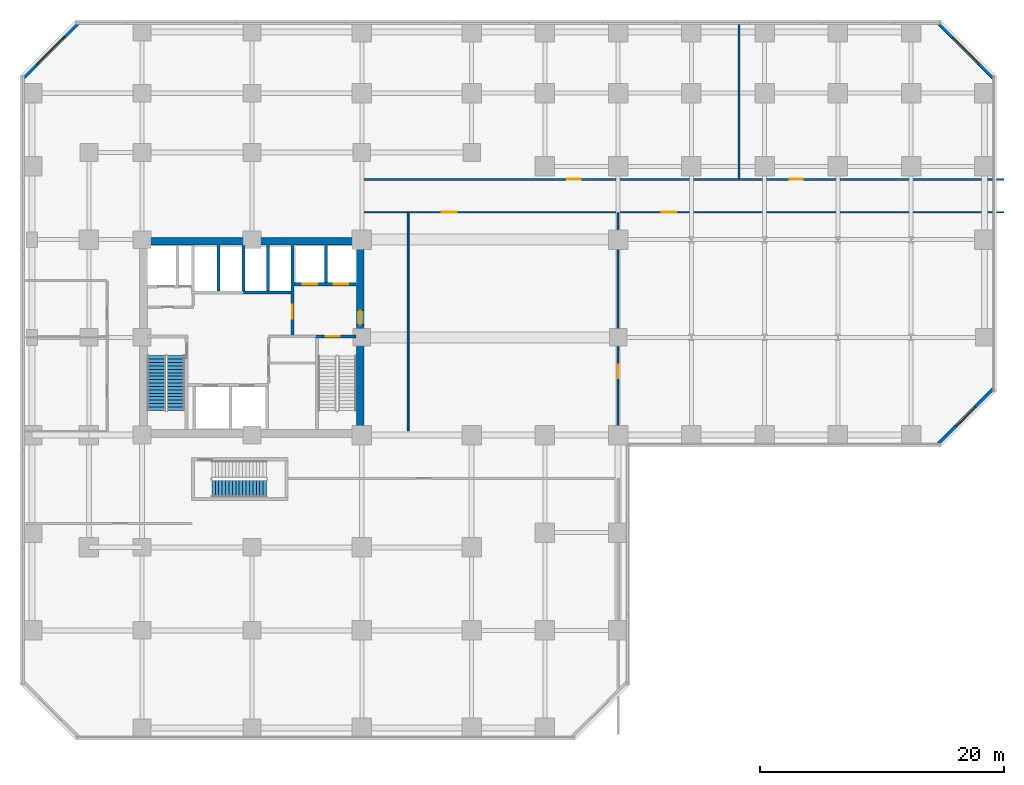
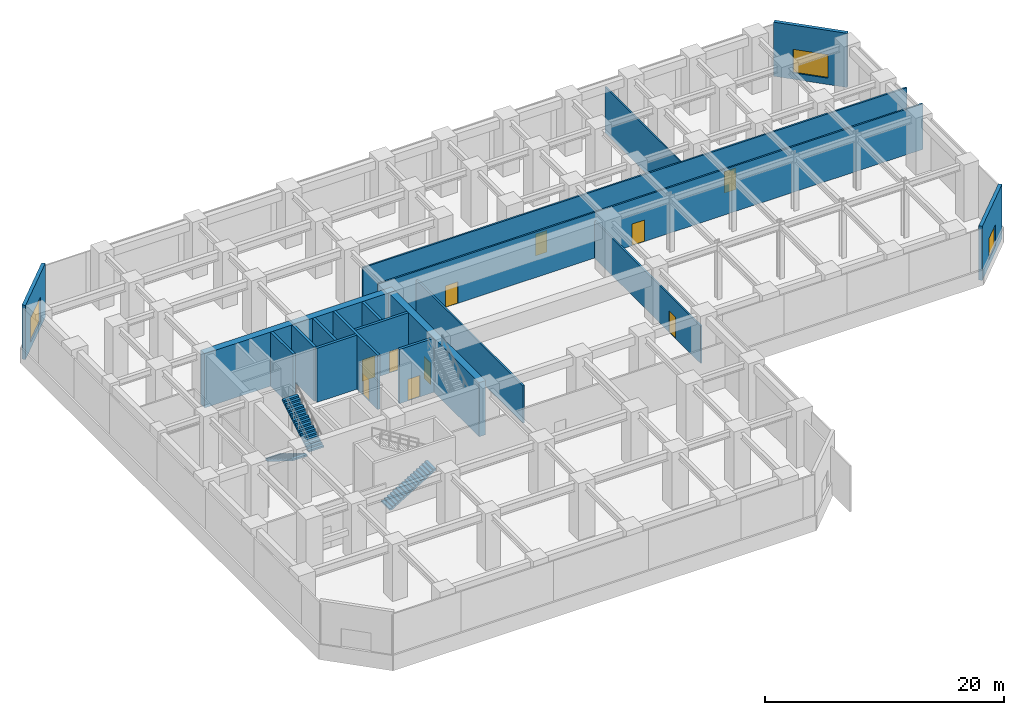
# One storey, part 4 of 12: 18 walls, 10 doors, 3 stair flights, 3 windows, 13 openings, 2 elements without a shape of their own.
"""IFC4 building model written with IfcOpenShell, lengths in metres."""

from ifc_helpers import new_model, si_unit, direction, frame, frame_2d, origin, place, context, subcontext, project, spatial, polyline, rectangle, outline, extrude, source, transform, mapped, material, layer, layer_set, type_object, element, fill, aggregate, save


model = new_model("IFC4")

# Units and contexts
model_context = context("Model", 3, precision=1e-05, world=origin(), true_north=direction((0.0, 1.0)))
body_context = subcontext(model_context, "Body", "Model", "MODEL_VIEW")
ifc_project = project(units=[si_unit("LENGTHUNIT", "METRE"), si_unit("AREAUNIT", "SQUARE_METRE"), si_unit("VOLUMEUNIT", "CUBIC_METRE"), si_unit("PLANEANGLEUNIT", "RADIAN"), si_unit("MASSUNIT", "GRAM", prefix="KILO")], contexts=[model_context])

# Site, building, storey
site_placement = place(None, origin())
site = spatial("IfcSite", under=ifc_project, at=site_placement, CompositionType="ELEMENT")
building_placement = place(site_placement, origin())
building = spatial("IfcBuilding", under=site, at=building_placement, Name="Torre Montelarca", CompositionType="ELEMENT")
storey_placement = place(building_placement, frame((0.0, 0.0, 22.199951171875)))
storey = spatial("IfcBuildingStorey", under=building, at=storey_placement, Name="L05", CompositionType="ELEMENT", Elevation=22.199951171875)

# Wall, opening, door
ifc_material_1 = material(Name="Concrete C40/50", Category="concrete")
ifc_layer_1 = layer(ifc_material_1, 0.25, Name="Concrete C40/50", Category="concrete")
ifc_layer_set_1 = layer_set([ifc_layer_1], Name="Concrete C40/50")
wall_type_1 = type_object("IfcWallType", Name="CW-SHAFT-250", PredefinedType="SHEAR", material=ifc_layer_set_1)
wall_1_placement = place(storey_placement, frame((23.18994140625, 32.074951171875, 0.0), z_axis=(0.0, 0.0, 1.0), x_axis=(1.0, 0.0, 0.0)))
wall_1 = element("IfcWall", 1, at=wall_1_placement, inside=storey, type_object=wall_type_1, Name="L05 Core Shear Wall SH-ST2-N", PredefinedType="SHEAR", context=body_context, shape_type="SweptSolid", body=[
    extrude(rectangle(XDim=3.35009765625, YDim=0.25, at=frame_2d((1.675048828125, 0.0))), origin(), (0.0, 0.0, 1.0), 5.52001953125),
])
opening_1_placement = place(wall_1_placement, frame((0.85009765625, 0.0, 0.0)))
opening_1 = element("IfcOpeningElement", 2, at=opening_1_placement, cuts=wall_1, Name="Opening FD-ST1", PredefinedType="OPENING", context=body_context, shape_type="SweptSolid", body=[
    extrude(rectangle(XDim=1.14990234375, YDim=2.199951171875, at=frame_2d((0.574951171875, 1.10009765625))), frame((0.0, 0.135009765625, 0.0), z_axis=(0.0, -1.0, 0.0), x_axis=(1.0, 0.0, 0.0)), (0.0, 0.0, 1.0), 0.27001953125),
])
ifc_material_2 = material(Name="Galvanized steel fire door", Category="steel")
door_type_1 = type_object("IfcDoorType", Name="DR-STAIR-115", OperationType="NOTDEFINED", PredefinedType="DOOR", material=ifc_material_2)
shared_shape_1 = source(origin(), body_context, "Body", "SweptSolid", [
    extrude(rectangle(XDim=1.14990234375, YDim=2.199951171875, at=frame_2d((0.574951171875, 1.10009765625))), frame((0.0, 0.02490234375, 0.0), z_axis=(0.0, -1.0, 0.0), x_axis=(1.0, 0.0, 0.0)), (0.0, 0.0, 1.0), 0.050048828125),
])
door_1_placement = place(opening_1_placement, origin())
door_1 = element("IfcDoor", 3, at=door_1_placement, inside=storey, type_object=door_type_1, Name="L05 Exit Stair ST2 Fire Door", OperationType="SINGLE_SWING_RIGHT", OverallHeight=2.199951171875, OverallWidth=1.14990234375, PredefinedType="DOOR", context=body_context, shape_type="MappedRepresentation", body=[
    mapped(shared_shape_1, transform((0.0, 0.0, 0.0), scale=1.0)),
])
fill(opening_1, door_1)

wall_2_placement = place(storey_placement, frame((21.320068359375, 32.1201171875, 0.0), z_axis=(0.0, 0.0, 1.0), x_axis=(0.0, 1.0, 0.0)))
wall_2 = element("IfcWall", 4, at=wall_2_placement, inside=storey, type_object=wall_type_1, Name="L05 Core Shear Wall SH-FFL-W", PredefinedType="SHEAR", context=body_context, shape_type="SweptSolid", body=[
    extrude(rectangle(XDim=7.419921875, YDim=0.25, at=frame_2d((3.7099609375, 0.0))), origin(), (0.0, 0.0, 1.0), 5.52001953125),
])
opening_2_placement = place(wall_2_placement, frame((1.39990234375, 0.0, 0.0)))
opening_2 = element("IfcOpeningElement", 5, at=opening_2_placement, cuts=wall_2, Name="Opening FD-LB1", PredefinedType="OPENING", context=body_context, shape_type="SweptSolid", body=[
    extrude(rectangle(XDim=1.14990234375, YDim=2.199951171875, at=frame_2d((0.574951171875, 1.10009765625))), frame((0.0, 0.135009765625, 0.0), z_axis=(0.0, -1.0, 0.0), x_axis=(1.0, 0.0, 0.0)), (0.0, 0.0, 1.0), 0.27001953125),
])
ifc_material_3 = material(Name="Acoustic timber-veneered fire door", Category="wood")
door_type_2 = type_object("IfcDoorType", Name="DR-LOBBY-115", OperationType="NOTDEFINED", PredefinedType="DOOR", material=ifc_material_3)
shared_shape_2 = source(origin(), body_context, "Body", "SweptSolid", [
    extrude(rectangle(XDim=1.14990234375, YDim=2.199951171875, at=frame_2d((0.574951171875, 1.10009765625))), frame((0.0, 0.02490234375, 0.0), z_axis=(0.0, -1.0, 0.0), x_axis=(1.0, 0.0, 0.0)), (0.0, 0.0, 1.0), 0.050048828125),
])
door_2_placement = place(opening_2_placement, origin())
door_2 = element("IfcDoor", 6, at=door_2_placement, inside=storey, type_object=door_type_2, Name="L05 Lift Lobby to Firefighting Lobby Smoke Door", OperationType="SINGLE_SWING_LEFT", OverallHeight=2.199951171875, OverallWidth=1.14990234375, PredefinedType="DOOR", context=body_context, shape_type="MappedRepresentation", body=[
    mapped(shared_shape_2, transform((0.0, 0.0, 0.0), scale=1.0)),
])
fill(opening_2, door_2)

# Wall, openings, doors
wall_3_placement = place(storey_placement, frame((21.449951171875, 36.35009765625, 0.0), z_axis=(0.0, 0.0, 1.0), x_axis=(1.0, 0.0, 0.0)))
wall_3 = element("IfcWall", 7, at=wall_3_placement, inside=storey, type_object=wall_type_1, Name="L05 Core Shear Wall SH-FF-S", PredefinedType="SHEAR", context=body_context, shape_type="SweptSolid", body=[
    extrude(rectangle(XDim=5.090087890625, YDim=0.25, at=frame_2d((2.544921875, 0.0))), origin(), (0.0, 0.0, 1.0), 5.52001953125),
])
opening_3_placement = place(wall_3_placement, frame((0.699951171875, 0.0, 0.0)))
opening_3 = element("IfcOpeningElement", 8, at=opening_3_placement, cuts=wall_3, Name="Opening LD-120", PredefinedType="OPENING", context=body_context, shape_type="SweptSolid", body=[
    extrude(rectangle(XDim=1.199951171875, YDim=2.199951171875, at=frame_2d((0.60009765625, 1.10009765625))), frame((0.0, 0.135009765625, 0.0), z_axis=(0.0, -1.0, 0.0), x_axis=(1.0, 0.0, 0.0)), (0.0, 0.0, 1.0), 0.27001953125),
])
opening_4_placement = place(wall_3_placement, frame((3.25, 0.0, 0.0)))
opening_4 = element("IfcOpeningElement", 9, at=opening_4_placement, cuts=wall_3, Name="Opening LD-120", PredefinedType="OPENING", context=body_context, shape_type="SweptSolid", body=[
    extrude(rectangle(XDim=1.199951171875, YDim=2.199951171875, at=frame_2d((0.60009765625, 1.10009765625))), frame((0.0, 0.135009765625, 0.0), z_axis=(0.0, -1.0, 0.0), x_axis=(1.0, 0.0, 0.0)), (0.0, 0.0, 1.0), 0.27001953125),
])
ifc_material_4 = material(Name="Brushed stainless steel AISI 316", Category="steel")
door_type_3 = type_object("IfcDoorType", Name="DR-LIFT-120", OperationType="SLIDING_TO_RIGHT", PredefinedType="DOOR", material=ifc_material_4)
shared_shape_3 = source(origin(), body_context, "Body", "SweptSolid", [
    extrude(rectangle(XDim=1.199951171875, YDim=2.199951171875, at=frame_2d((0.60009765625, 1.10009765625))), frame((0.0, 0.02490234375, 0.0), z_axis=(0.0, -1.0, 0.0), x_axis=(1.0, 0.0, 0.0)), (0.0, 0.0, 1.0), 0.050048828125),
])
door_3_placement = place(opening_3_placement, origin())
door_3 = element("IfcDoor", 10, at=door_3_placement, inside=storey, type_object=door_type_3, Name="L05 Lift Landing Sliding Door FF-1", OperationType="SLIDING_TO_LEFT", OverallHeight=2.199951171875, OverallWidth=1.199951171875, PredefinedType="DOOR", context=body_context, shape_type="MappedRepresentation", body=[
    mapped(shared_shape_3, transform((0.0, 0.0, 0.0), scale=1.0)),
])
fill(opening_3, door_3)
door_4_placement = place(opening_4_placement, origin())
door_4 = element("IfcDoor", 11, at=door_4_placement, inside=storey, type_object=door_type_3, Name="L05 Lift Landing Sliding Door FF-2", OperationType="SLIDING_TO_RIGHT", OverallHeight=2.199951171875, OverallWidth=1.199951171875, PredefinedType="DOOR", context=body_context, shape_type="MappedRepresentation", body=[
    mapped(shared_shape_3, transform((0.0, 0.0, 0.0), scale=1.0)),
])
fill(opening_4, door_4)

# Walls
wall_4_placement = place(storey_placement, frame((24.080078125, 36.47998046875, 0.0), z_axis=(0.0, 0.0, 1.0), x_axis=(0.0, 1.0, 0.0)))
element("IfcWall", 12, at=wall_4_placement, inside=storey, type_object=wall_type_1, Name="L05 Core Shear Wall SH-FF-M", PredefinedType="SHEAR", context=body_context, shape_type="SweptSolid", body=[
    extrude(rectangle(XDim=3.06005859375, YDim=0.25, at=frame_2d((1.530029296875, 0.0))), origin(), (0.0, 0.0, 1.0), 5.52001953125),
])
wall_5_placement = place(storey_placement, frame((15.280029296875, 35.81005859375, 0.0), z_axis=(0.0, 0.0, 1.0), x_axis=(0.0, 1.0, 0.0)))
element("IfcWall", 13, at=wall_5_placement, inside=storey, type_object=wall_type_1, Name="L05 Core Shear Wall SH-PLM-M", PredefinedType="SHEAR", context=body_context, shape_type="SweptSolid", body=[
    extrude(rectangle(XDim=3.72998046875, YDim=0.25, at=frame_2d((1.864990234375, 0.0))), origin(), (0.0, 0.0, 1.0), 5.52001953125),
])
wall_6_placement = place(storey_placement, frame((17.320068359375, 35.679931640625, 0.0), z_axis=(0.0, 0.0, 1.0), x_axis=(1.0, 0.0, 0.0)))
element("IfcWall", 14, at=wall_6_placement, inside=storey, type_object=wall_type_1, Name="L05 Core Shear Wall SH-PLH-S", PredefinedType="SHEAR", context=body_context, shape_type="SweptSolid", body=[
    extrude(rectangle(XDim=3.869873046875, YDim=0.25, at=frame_2d((1.93505859375, 0.0))), origin(), (0.0, 0.0, 1.0), 5.52001953125),
])
for number, where, z_axis, x_axis, name in (
    (15, (17.320068359375, 35.81005859375, 0.0), (0.0, 0.0, 1.0), (0.0, 1.0, 0.0), "L05 Core Shear Wall SH-PLH-W"),
    (16, (19.320068359375, 35.81005859375, 0.0), (0.0, 0.0, 1.0), (0.0, 1.0, 0.0), "L05 Core Shear Wall SH-PLH-M"),
):
    element("IfcWall", number, at=place(storey_placement, frame(where, z_axis=z_axis, x_axis=x_axis)), inside=storey, type_object=wall_type_1, Name=name, PredefinedType="SHEAR", context=body_context, shape_type="SweptSolid", body=[
        extrude(rectangle(XDim=3.72998046875, YDim=0.25, at=frame_2d((1.864990234375, 0.0))), origin(), (0.0, 0.0, 1.0), 5.52001953125),
    ])

# Wall, opening, door
ifc_material_5 = material(Name="Concrete C70/85", Category="concrete")
ifc_layer_2 = layer(ifc_material_5, 0.64990234375, Name="Concrete C70/85", Category="concrete")
ifc_layer_set_2 = layer_set([ifc_layer_2], Name="Concrete C70/85")
wall_type_2 = type_object("IfcWallType", Name="CW-SHEAR-650", PredefinedType="SHEAR", material=ifc_layer_set_2)
wall_7_placement = place(storey_placement, frame((26.875, 24.449951171875, 0.0), z_axis=(0.0, 0.0, 1.0), x_axis=(0.0, 1.0, 0.0)))
wall_7 = element("IfcWall", 17, at=wall_7_placement, inside=storey, type_object=wall_type_2, Name="L05 Core Shear Wall CW-E", PredefinedType="SHEAR", context=body_context, shape_type="SweptSolid", body=[
    extrude(rectangle(XDim=15.10009765625, YDim=0.64990234375, at=frame_2d((7.550048828125, 0.0))), origin(), (0.0, 0.0, 1.0), 5.52001953125),
])
opening_5_placement = place(wall_7_placement, frame((8.60009765625, 0.0, 0.0)))
opening_5 = element("IfcOpeningElement", 18, at=opening_5_placement, cuts=wall_7, Name="Opening FD-LB1", PredefinedType="OPENING", context=body_context, shape_type="SweptSolid", body=[
    extrude(rectangle(XDim=1.14990234375, YDim=2.199951171875, at=frame_2d((0.574951171875, 1.10009765625))), frame((0.0, 0.3349609375, 0.0), z_axis=(0.0, -1.0, 0.0), x_axis=(1.0, 0.0, 0.0)), (0.0, 0.0, 1.0), 0.669921875),
])
door_5_placement = place(opening_5_placement, origin())
door_5 = element("IfcDoor", 19, at=door_5_placement, inside=storey, type_object=door_type_2, Name="L05 Firefighting Lift Lobby Corridor Fire Door", OperationType="SINGLE_SWING_RIGHT", OverallHeight=2.199951171875, OverallWidth=1.14990234375, PredefinedType="DOOR", context=body_context, shape_type="MappedRepresentation", body=[
    mapped(shared_shape_2, transform((0.0, 0.0, 0.0), scale=1.0)),
])
fill(opening_5, door_5)

# Wall
wall_8_placement = place(storey_placement, frame((8.800048828125, 39.875, 0.0), z_axis=(0.0, 0.0, 1.0), x_axis=(1.0, 0.0, 0.0)))
element("IfcWall", 20, at=wall_8_placement, inside=storey, type_object=wall_type_2, Name="L05 Core Shear Wall CW-N1", PredefinedType="SHEAR", context=body_context, shape_type="SweptSolid", body=[
    extrude(rectangle(XDim=18.39990234375, YDim=0.64990234375, at=frame_2d((9.199951171875, 0.0))), origin(), (0.0, 0.0, 1.0), 5.52001953125),
])

# Wall, opening, window
ifc_material_6 = material(Name="Precast concrete C45/55", Category="concrete")
ifc_layer_3 = layer(ifc_material_6, 0.320068359375, Name="Precast concrete C45/55", Category="concrete")
ifc_layer_set_3 = layer_set([ifc_layer_3], Name="Precast concrete C45/55")
wall_type_3 = type_object("IfcWallType", Name="EW-CONC-320", PredefinedType="SOLIDWALL", material=ifc_layer_set_3)
wall_9_placement = place(storey_placement, frame((74.244384765625, 23.255615234375, 0.0), z_axis=(0.0, 0.0, 1.0), x_axis=(0.707106781187, 0.707106781187, 0.0)))
wall_9 = element("IfcWall", 21, at=wall_9_placement, inside=storey, type_object=wall_type_3, Name="L05 Podium Precast Concrete Wall E05", PredefinedType="SOLIDWALL", context=body_context, shape_type="SweptSolid", body=[
    extrude(rectangle(XDim=6.364013671875, YDim=0.320068359375, at=frame_2d((3.18212890625, 0.0))), origin(), (0.0, 0.0, 1.0), 5.52001953125),
])
opening_6_placement = place(wall_9_placement, frame((2.08203125, 0.0, 0.64990234375)))
opening_6 = element("IfcOpeningElement", 22, at=opening_6_placement, cuts=wall_9, Name="Opening W-03", PredefinedType="OPENING", context=body_context, shape_type="SweptSolid", body=[
    extrude(rectangle(XDim=2.199951171875, YDim=2.199951171875, at=frame_2d((1.10009765625, 1.10009765625))), frame((0.0, 0.169921875, 0.0), z_axis=(0.0, -1.0, 0.0), x_axis=(1.0, 0.0, 0.0)), (0.0, 0.0, 1.0), 0.340087890625),
])
ifc_material_7 = material(Name="Insulated low-E laminated glass in aluminium frame", Category="aluminium")
window_type_1 = type_object("IfcWindowType", Name="WIN-W03", PartitioningType="SINGLE_PANEL", PredefinedType="WINDOW", material=ifc_material_7)
shared_shape_4 = source(origin(), body_context, "Body", "SweptSolid", [
    extrude(rectangle(XDim=2.199951171875, YDim=2.199951171875, at=frame_2d((1.10009765625, 1.10009765625))), frame((0.0, 0.030029296875, 0.0), z_axis=(0.0, -1.0, 0.0), x_axis=(1.0, 0.0, 0.0)), (0.0, 0.0, 1.0), 0.06005859375),
])
window_1_placement = place(opening_6_placement, origin())
window_1 = element("IfcWindow", 23, at=window_1_placement, inside=storey, type_object=window_type_1, Name="L05 Podium Chamfer Feature Window E05", OverallHeight=2.199951171875, OverallWidth=2.199951171875, PartitioningType="SINGLE_PANEL", PredefinedType="WINDOW", context=body_context, shape_type="MappedRepresentation", body=[
    mapped(shared_shape_4, transform((0.0, 0.0, 0.0), scale=1.0)),
])
fill(opening_6, window_1)

wall_10_placement = place(storey_placement, frame((78.744384765625, 53.244384765625, 0.0), z_axis=(0.0, 0.0, 1.0), x_axis=(-0.707106781187, 0.707106781187, 0.0)))
wall_10 = element("IfcWall", 24, at=wall_10_placement, inside=storey, type_object=wall_type_3, Name="L05 Podium Precast Concrete Wall E07", PredefinedType="SOLIDWALL", context=body_context, shape_type="SweptSolid", body=[
    extrude(rectangle(XDim=6.364013671875, YDim=0.320068359375, at=frame_2d((3.18212890625, 0.0))), origin(), (0.0, 0.0, 1.0), 5.52001953125),
])
opening_7_placement = place(wall_10_placement, frame((1.681884765625, 0.0, 0.64990234375)))
opening_7 = element("IfcOpeningElement", 25, at=opening_7_placement, cuts=wall_10, Name="Opening W-05", PredefinedType="OPENING", context=body_context, shape_type="SweptSolid", body=[
    extrude(rectangle(XDim=3.0, YDim=2.39990234375, at=frame_2d((1.5, 1.199951171875))), frame((0.0, 0.169921875, 0.0), z_axis=(0.0, -1.0, 0.0), x_axis=(1.0, 0.0, 0.0)), (0.0, 0.0, 1.0), 0.340087890625),
])
window_type_2 = type_object("IfcWindowType", Name="WIN-W05", PartitioningType="TRIPLE_PANEL_VERTICAL", PredefinedType="WINDOW", material=ifc_material_7)
shared_shape_5 = source(origin(), body_context, "Body", "SweptSolid", [
    extrude(rectangle(XDim=3.0, YDim=2.39990234375, at=frame_2d((1.5, 1.199951171875))), frame((0.0, 0.030029296875, 0.0), z_axis=(0.0, -1.0, 0.0), x_axis=(1.0, 0.0, 0.0)), (0.0, 0.0, 1.0), 0.06005859375),
])
window_2_placement = place(opening_7_placement, origin())
window_2 = element("IfcWindow", 26, at=window_2_placement, inside=storey, type_object=window_type_2, Name="L05 Podium Chamfer Feature Window E07", OverallHeight=2.39990234375, OverallWidth=3.0, PartitioningType="TRIPLE_PANEL_VERTICAL", PredefinedType="WINDOW", context=body_context, shape_type="MappedRepresentation", body=[
    mapped(shared_shape_5, transform((0.0, 0.0, 0.0), scale=1.0)),
])
fill(opening_7, window_2)

wall_11_placement = place(storey_placement, frame((3.755615234375, 57.744384765625, 0.0), z_axis=(0.0, 0.0, 1.0), x_axis=(-0.707106781187, -0.707106781187, 0.0)))
wall_11 = element("IfcWall", 27, at=wall_11_placement, inside=storey, type_object=wall_type_3, Name="L05 Podium Precast Concrete Wall E09", PredefinedType="SOLIDWALL", context=body_context, shape_type="SweptSolid", body=[
    extrude(rectangle(XDim=6.364013671875, YDim=0.320068359375, at=frame_2d((3.18212890625, 0.0))), origin(), (0.0, 0.0, 1.0), 5.52001953125),
])
opening_8_placement = place(wall_11_placement, frame((1.58203125, 0.0, 0.64990234375)))
opening_8 = element("IfcOpeningElement", 28, at=opening_8_placement, cuts=wall_11, Name="Opening W-07", PredefinedType="OPENING", context=body_context, shape_type="SweptSolid", body=[
    extrude(rectangle(XDim=3.199951171875, YDim=2.5, at=frame_2d((1.60009765625, 1.25))), frame((0.0, 0.169921875, 0.0), z_axis=(0.0, -1.0, 0.0), x_axis=(1.0, 0.0, 0.0)), (0.0, 0.0, 1.0), 0.340087890625),
])
window_type_3 = type_object("IfcWindowType", Name="WIN-W07", PartitioningType="TRIPLE_PANEL_VERTICAL", PredefinedType="WINDOW", material=ifc_material_7)
shared_shape_6 = source(origin(), body_context, "Body", "SweptSolid", [
    extrude(rectangle(XDim=3.199951171875, YDim=2.5, at=frame_2d((1.60009765625, 1.25))), frame((0.0, 0.030029296875, 0.0), z_axis=(0.0, -1.0, 0.0), x_axis=(1.0, 0.0, 0.0)), (0.0, 0.0, 1.0), 0.06005859375),
])
window_3_placement = place(opening_8_placement, origin())
window_3 = element("IfcWindow", 29, at=window_3_placement, inside=storey, type_object=window_type_3, Name="L05 Podium Chamfer Feature Window E09", OverallHeight=2.5, OverallWidth=3.199951171875, PartitioningType="TRIPLE_PANEL_VERTICAL", PredefinedType="WINDOW", context=body_context, shape_type="MappedRepresentation", body=[
    mapped(shared_shape_6, transform((0.0, 0.0, 0.0), scale=1.0)),
])
fill(opening_8, window_3)

# Wall
ifc_material_8 = material(Name="Gypsum plasterboard on steel stud", Category="steel")
ifc_layer_4 = layer(ifc_material_8, 0.159912109375, Name="Gypsum plasterboard on steel stud", Category="steel")
ifc_layer_set_4 = layer_set([ifc_layer_4], Name="Gypsum plasterboard on steel stud")
wall_type_4 = type_object("IfcWallType", Name="PW-FIRE-160", PredefinedType="PARTITIONING", material=ifc_layer_set_4)
wall_12_placement = place(storey_placement, frame((30.800048828125, 24.340087890625, 0.0), z_axis=(0.0, 0.0, 1.0), x_axis=(0.0, 1.0, 0.0)))
element("IfcWall", 30, at=wall_12_placement, inside=storey, type_object=wall_type_4, Name="L05 Interior Partition W-L05-CNW", PredefinedType="PARTITIONING", context=body_context, shape_type="SweptSolid", body=[
    extrude(rectangle(XDim=17.869873046875, YDim=0.159912109375, at=frame_2d((8.93505859375, 0.0))), origin(), (0.0, 0.0, 1.0), 3.804931640625),
])

# Wall, openings, doors
wall_13_placement = place(storey_placement, frame((27.06005859375, 42.25, 0.0), z_axis=(0.0, 0.0, 1.0), x_axis=(1.0, 0.0, 0.0)))
wall_13 = element("IfcWall", 31, at=wall_13_placement, inside=storey, type_object=wall_type_4, Name="L05 Interior Partition W-L05-CN1", PredefinedType="PARTITIONING", context=body_context, shape_type="SweptSolid", body=[
    extrude(rectangle(XDim=52.550048828125, YDim=0.159912109375, at=frame_2d((26.27490234375, 0.0))), origin(), (0.0, 0.0, 1.0), 4.655029296875),
])
opening_9_placement = place(wall_13_placement, frame((6.5, 0.0, 0.0)))
opening_9 = element("IfcOpeningElement", 32, at=opening_9_placement, cuts=wall_13, Name="Opening FD-120", PredefinedType="OPENING", context=body_context, shape_type="SweptSolid", body=[
    extrude(rectangle(XDim=1.199951171875, YDim=2.199951171875, at=frame_2d((0.60009765625, 1.10009765625))), frame((0.0, 0.08984375, 0.0), z_axis=(0.0, -1.0, 0.0), x_axis=(1.0, 0.0, 0.0)), (0.0, 0.0, 1.0), 0.179931640625),
])
opening_10_placement = place(wall_13_placement, frame((24.5, 0.0, 0.0)))
opening_10 = element("IfcOpeningElement", 33, at=opening_10_placement, cuts=wall_13, Name="Opening FD-120", PredefinedType="OPENING", context=body_context, shape_type="SweptSolid", body=[
    extrude(rectangle(XDim=1.199951171875, YDim=2.199951171875, at=frame_2d((0.60009765625, 1.10009765625))), frame((0.0, 0.08984375, 0.0), z_axis=(0.0, -1.0, 0.0), x_axis=(1.0, 0.0, 0.0)), (0.0, 0.0, 1.0), 0.179931640625),
])
door_type_4 = type_object("IfcDoorType", Name="DR-FIRE-120", OperationType="NOTDEFINED", PredefinedType="DOOR", material=ifc_material_2)
shared_shape_7 = source(origin(), body_context, "Body", "SweptSolid", [
    extrude(rectangle(XDim=1.199951171875, YDim=2.199951171875, at=frame_2d((0.60009765625, 1.10009765625))), frame((0.0, 0.02490234375, 0.0), z_axis=(0.0, -1.0, 0.0), x_axis=(1.0, 0.0, 0.0)), (0.0, 0.0, 1.0), 0.050048828125),
])
door_6_placement = place(opening_9_placement, origin())
door_6 = element("IfcDoor", 34, at=door_6_placement, inside=storey, type_object=door_type_4, Name="L05 Interior Door 08", OperationType="SINGLE_SWING_LEFT", OverallHeight=2.199951171875, OverallWidth=1.199951171875, PredefinedType="DOOR", context=body_context, shape_type="MappedRepresentation", body=[
    mapped(shared_shape_7, transform((0.0, 0.0, 0.0), scale=1.0)),
])
fill(opening_9, door_6)
door_7_placement = place(opening_10_placement, origin())
door_7 = element("IfcDoor", 35, at=door_7_placement, inside=storey, type_object=door_type_4, Name="L05 Interior Door 09", OperationType="SINGLE_SWING_RIGHT", OverallHeight=2.199951171875, OverallWidth=1.199951171875, PredefinedType="DOOR", context=body_context, shape_type="MappedRepresentation", body=[
    mapped(shared_shape_7, transform((0.0, 0.0, 0.0), scale=1.0)),
])
fill(opening_10, door_7)

wall_14_placement = place(storey_placement, frame((27.139892578125, 44.949951171875, 0.0), z_axis=(0.0, 0.0, 1.0), x_axis=(1.0, 0.0, 0.0)))
wall_14 = element("IfcWall", 36, at=wall_14_placement, inside=storey, type_object=wall_type_4, Name="L05 Interior Partition W-L05-CN2", PredefinedType="PARTITIONING", context=body_context, shape_type="SweptSolid", body=[
    extrude(rectangle(XDim=52.47021484375, YDim=0.159912109375, at=frame_2d((26.235107421875, 0.0))), origin(), (0.0, 0.0, 1.0), 4.655029296875),
])
opening_11_placement = place(wall_14_placement, frame((16.699951171875, 0.0, 0.0)))
opening_11 = element("IfcOpeningElement", 37, at=opening_11_placement, cuts=wall_14, Name="Opening FD-110", PredefinedType="OPENING", context=body_context, shape_type="SweptSolid", body=[
    extrude(rectangle(XDim=1.10009765625, YDim=2.199951171875, at=frame_2d((0.550048828125, 1.10009765625))), frame((0.0, 0.08984375, 0.0), z_axis=(0.0, -1.0, 0.0), x_axis=(1.0, 0.0, 0.0)), (0.0, 0.0, 1.0), 0.179931640625),
])
opening_12_placement = place(wall_14_placement, frame((34.89990234375, 0.0, 0.0)))
opening_12 = element("IfcOpeningElement", 38, at=opening_12_placement, cuts=wall_14, Name="Opening FD-110", PredefinedType="OPENING", context=body_context, shape_type="SweptSolid", body=[
    extrude(rectangle(XDim=1.10009765625, YDim=2.199951171875, at=frame_2d((0.550048828125, 1.10009765625))), frame((0.0, 0.08984375, 0.0), z_axis=(0.0, -1.0, 0.0), x_axis=(1.0, 0.0, 0.0)), (0.0, 0.0, 1.0), 0.179931640625),
])
ifc_material_9 = material(Name="Timber fire-rated suite door", Category="wood")
door_type_5 = type_object("IfcDoorType", Name="DR-FIRE-110", OperationType="NOTDEFINED", PredefinedType="DOOR", material=ifc_material_9)
shared_shape_8 = source(origin(), body_context, "Body", "SweptSolid", [
    extrude(rectangle(XDim=1.10009765625, YDim=2.199951171875, at=frame_2d((0.550048828125, 1.10009765625))), frame((0.0, 0.02490234375, 0.0), z_axis=(0.0, -1.0, 0.0), x_axis=(1.0, 0.0, 0.0)), (0.0, 0.0, 1.0), 0.050048828125),
])
door_8_placement = place(opening_11_placement, origin())
door_8 = element("IfcDoor", 39, at=door_8_placement, inside=storey, type_object=door_type_5, Name="L05 Interior Door 10", OperationType="SINGLE_SWING_RIGHT", OverallHeight=2.199951171875, OverallWidth=1.10009765625, PredefinedType="DOOR", context=body_context, shape_type="MappedRepresentation", body=[
    mapped(shared_shape_8, transform((0.0, 0.0, 0.0), scale=1.0)),
])
fill(opening_11, door_8)
door_9_placement = place(opening_12_placement, origin())
door_9 = element("IfcDoor", 40, at=door_9_placement, inside=storey, type_object=door_type_5, Name="L05 Interior Door 11", OperationType="SINGLE_SWING_LEFT", OverallHeight=2.199951171875, OverallWidth=1.10009765625, PredefinedType="DOOR", context=body_context, shape_type="MappedRepresentation", body=[
    mapped(shared_shape_8, transform((0.0, 0.0, 0.0), scale=1.0)),
])
fill(opening_12, door_9)

# Wall, opening, door
wall_15_placement = place(storey_placement, frame((48.0, 24.43994140625, 0.0), z_axis=(0.0, 0.0, 1.0), x_axis=(0.0, 1.0, 0.0)))
wall_15 = element("IfcWall", 41, at=wall_15_placement, inside=storey, type_object=wall_type_4, Name="L05 Interior Partition W-L05-HDIV", PredefinedType="PARTITIONING", context=body_context, shape_type="SweptSolid", body=[
    extrude(rectangle(XDim=17.77001953125, YDim=0.159912109375, at=frame_2d((8.885009765625, 0.0))), origin(), (0.0, 0.0, 1.0), 3.804931640625),
])
opening_13_placement = place(wall_15_placement, frame((4.199951171875, 0.0, 0.0)))
opening_13 = element("IfcOpeningElement", 42, at=opening_13_placement, cuts=wall_15, Name="Opening FD-110", PredefinedType="OPENING", context=body_context, shape_type="SweptSolid", body=[
    extrude(rectangle(XDim=1.10009765625, YDim=2.199951171875, at=frame_2d((0.550048828125, 1.10009765625))), frame((0.0, 0.08984375, 0.0), z_axis=(0.0, -1.0, 0.0), x_axis=(1.0, 0.0, 0.0)), (0.0, 0.0, 1.0), 0.179931640625),
])
door_10_placement = place(opening_13_placement, origin())
door_10 = element("IfcDoor", 43, at=door_10_placement, inside=storey, type_object=door_type_5, Name="L05 Interior Door 12", OperationType="SINGLE_SWING_LEFT", OverallHeight=2.199951171875, OverallWidth=1.10009765625, PredefinedType="DOOR", context=body_context, shape_type="MappedRepresentation", body=[
    mapped(shared_shape_8, transform((0.0, 0.0, 0.0), scale=1.0)),
])
fill(opening_13, door_10)

# Wall
ifc_layer_5 = layer(ifc_material_8, 0.135009765625, Name="Gypsum plasterboard on steel stud", Category="steel")
ifc_layer_set_5 = layer_set([ifc_layer_5], Name="Gypsum plasterboard on steel stud")
wall_type_5 = type_object("IfcWallType", Name="PW-PART-135", PredefinedType="PARTITIONING", material=ifc_layer_set_5)
wall_16_placement = place(storey_placement, frame((57.89990234375, 44.989990234375, 0.0), z_axis=(0.0, 0.0, 1.0), x_axis=(0.0, 1.0, 0.0)))
element("IfcWall", 44, at=wall_16_placement, inside=storey, type_object=wall_type_5, Name="L05 Interior Partition W-L05-NM", PredefinedType="PARTITIONING", context=body_context, shape_type="SweptSolid", body=[
    extrude(rectangle(XDim=12.6201171875, YDim=0.135009765625, at=frame_2d((6.31005859375, 0.0))), origin(), (0.0, 0.0, 1.0), 4.655029296875),
])

# Stair, stair flights
stair_type_1 = type_object("IfcStairType", Name="ST-CORE-ST1", PredefinedType="HALF_TURN_STAIR", material=ifc_material_1)
stair_1_placement = place(storey_placement, origin())
stair_1 = element("IfcStair", 45, at=stair_1_placement, inside=storey, type_object=stair_type_1, Name="L05 Protected Exit Stair ST1", PredefinedType="HALF_TURN_STAIR")
stair_flight_type_1 = type_object("IfcStairFlightType", Name="SFL-CORE-ST1", PredefinedType="STRAIGHT", material=ifc_material_1)
stair_flight_1_placement = place(storey_placement, frame((10.175048828125, 30.5, 0.0), z_axis=(0.0, 0.0, 1.0), x_axis=(0.0, -1.0, 0.0)))
stair_flight_1 = element("IfcStairFlight", 46, at=stair_flight_1_placement, type_object=stair_flight_type_1, Name="ST1 flight 1", NumberOfRisers=17, NumberOfTreads=16, PredefinedType="STRAIGHT", RiserHeight=0.170588235, TreadLength=0.28, context=body_context, shape_type="SweptSolid", body=[
    extrude(outline(polyline([(0.0, 0.0), (0.0, 0.170654296875), (0.280029296875, 0.170654296875), (0.280029296875, 0.341064453125), (0.56005859375, 0.341064453125), (0.56005859375, 0.51171875), (0.840087890625, 0.51171875), (0.840087890625, 0.682373046875), (1.1201171875, 0.682373046875), (1.1201171875, 0.85302734375), (1.39990234375, 0.85302734375), (1.39990234375, 1.0234375), (1.679931640625, 1.0234375), (1.679931640625, 1.194091796875), (1.9599609375, 1.194091796875), (1.9599609375, 1.36474609375), (2.239990234375, 1.36474609375), (2.239990234375, 1.535400390625), (2.52001953125, 1.535400390625), (2.52001953125, 1.705810546875), (2.800048828125, 1.705810546875), (2.800048828125, 1.87646484375), (3.080078125, 1.87646484375), (3.080078125, 2.047119140625), (3.360107421875, 2.047119140625), (3.360107421875, 2.217529296875), (3.639892578125, 2.217529296875), (3.639892578125, 2.38818359375), (3.919921875, 2.38818359375), (3.919921875, 2.558837890625), (4.199951171875, 2.558837890625), (4.199951171875, 2.7294921875), (4.47998046875, 2.7294921875), (4.47998046875, 2.89990234375), (4.47998046875, 2.553955078125), (0.2880859375, 0.0), (0.0, 0.0)])), frame((0.0, 0.72509765625, 0.0), z_axis=(0.0, -1.0, 0.0), x_axis=(1.0, 0.0, 0.0)), (0.0, 0.0, 1.0), 1.449951171875),
])
stair_flight_2_placement = place(storey_placement, frame((11.77490234375, 26.02001953125, 2.900146484375), z_axis=(0.0, 0.0, 1.0), x_axis=(0.0, 1.0, 0.0)))
stair_flight_2 = element("IfcStairFlight", 47, at=stair_flight_2_placement, type_object=stair_flight_type_1, Name="ST1 flight 2", NumberOfRisers=17, NumberOfTreads=16, PredefinedType="STRAIGHT", RiserHeight=0.170588235, TreadLength=0.28, context=body_context, shape_type="SweptSolid", body=[
    extrude(outline(polyline([(0.0, 0.0), (0.0, 0.170654296875), (0.280029296875, 0.170654296875), (0.280029296875, 0.341064453125), (0.56005859375, 0.341064453125), (0.56005859375, 0.51171875), (0.840087890625, 0.51171875), (0.840087890625, 0.682373046875), (1.1201171875, 0.682373046875), (1.1201171875, 0.85302734375), (1.39990234375, 0.85302734375), (1.39990234375, 1.0234375), (1.679931640625, 1.0234375), (1.679931640625, 1.194091796875), (1.9599609375, 1.194091796875), (1.9599609375, 1.36474609375), (2.239990234375, 1.36474609375), (2.239990234375, 1.535400390625), (2.52001953125, 1.535400390625), (2.52001953125, 1.705810546875), (2.800048828125, 1.705810546875), (2.800048828125, 1.87646484375), (3.080078125, 1.87646484375), (3.080078125, 2.047119140625), (3.360107421875, 2.047119140625), (3.360107421875, 2.217529296875), (3.639892578125, 2.217529296875), (3.639892578125, 2.38818359375), (3.919921875, 2.38818359375), (3.919921875, 2.558837890625), (4.199951171875, 2.558837890625), (4.199951171875, 2.7294921875), (4.47998046875, 2.7294921875), (4.47998046875, 2.89990234375), (4.47998046875, 2.553955078125), (0.2880859375, 0.0), (0.0, 0.0)])), frame((0.0, 0.72509765625, 0.0), z_axis=(0.0, -1.0, 0.0), x_axis=(1.0, 0.0, 0.0)), (0.0, 0.0, 1.0), 1.449951171875),
])
aggregate(stair_1, [stair_flight_1, stair_flight_2])

# Stair, stair flight
stair_type_2 = type_object("IfcStairType", Name="ST-CORE-ST3", PredefinedType="HALF_TURN_STAIR", material=ifc_material_1)
stair_2_placement = place(storey_placement, origin())
stair_2 = element("IfcStair", 48, at=stair_2_placement, inside=storey, type_object=stair_type_2, Name="L05 Low-Rise Exit Stair ST3", PredefinedType="HALF_TURN_STAIR")
stair_flight_type_2 = type_object("IfcStairFlightType", Name="SFL-CORE-ST3", PredefinedType="STRAIGHT", material=ifc_material_1)
stair_flight_3_placement = place(storey_placement, frame((14.719970703125, 19.610107421875, 0.0), z_axis=(0.0, 0.0, 1.0), x_axis=(1.0, 0.0, 0.0)))
stair_flight_3 = element("IfcStairFlight", 49, at=stair_flight_3_placement, type_object=stair_flight_type_2, Name="ST3 flight 1", NumberOfRisers=17, NumberOfTreads=16, PredefinedType="STRAIGHT", RiserHeight=0.170588235, TreadLength=0.28, context=body_context, shape_type="SweptSolid", body=[
    extrude(outline(polyline([(0.0, 0.0), (0.0, 0.170654296875), (0.280029296875, 0.170654296875), (0.280029296875, 0.341064453125), (0.56005859375, 0.341064453125), (0.56005859375, 0.51171875), (0.840087890625, 0.51171875), (0.840087890625, 0.682373046875), (1.1201171875, 0.682373046875), (1.1201171875, 0.85302734375), (1.39990234375, 0.85302734375), (1.39990234375, 1.0234375), (1.679931640625, 1.0234375), (1.679931640625, 1.194091796875), (1.9599609375, 1.194091796875), (1.9599609375, 1.36474609375), (2.239990234375, 1.36474609375), (2.239990234375, 1.535400390625), (2.52001953125, 1.535400390625), (2.52001953125, 1.705810546875), (2.800048828125, 1.705810546875), (2.800048828125, 1.87646484375), (3.080078125, 1.87646484375), (3.080078125, 2.047119140625), (3.360107421875, 2.047119140625), (3.360107421875, 2.217529296875), (3.639892578125, 2.217529296875), (3.639892578125, 2.38818359375), (3.919921875, 2.38818359375), (3.919921875, 2.558837890625), (4.199951171875, 2.558837890625), (4.199951171875, 2.7294921875), (4.47998046875, 2.7294921875), (4.47998046875, 2.89990234375), (4.47998046875, 2.553955078125), (0.2880859375, 0.0), (0.0, 0.0)])), frame((0.0, 0.7099609375, 0.0), z_axis=(0.0, -1.0, 0.0), x_axis=(1.0, 0.0, 0.0)), (0.0, 0.0, 1.0), 1.419921875),
])
aggregate(stair_2, [stair_flight_3])

save(model, "model.ifc")
